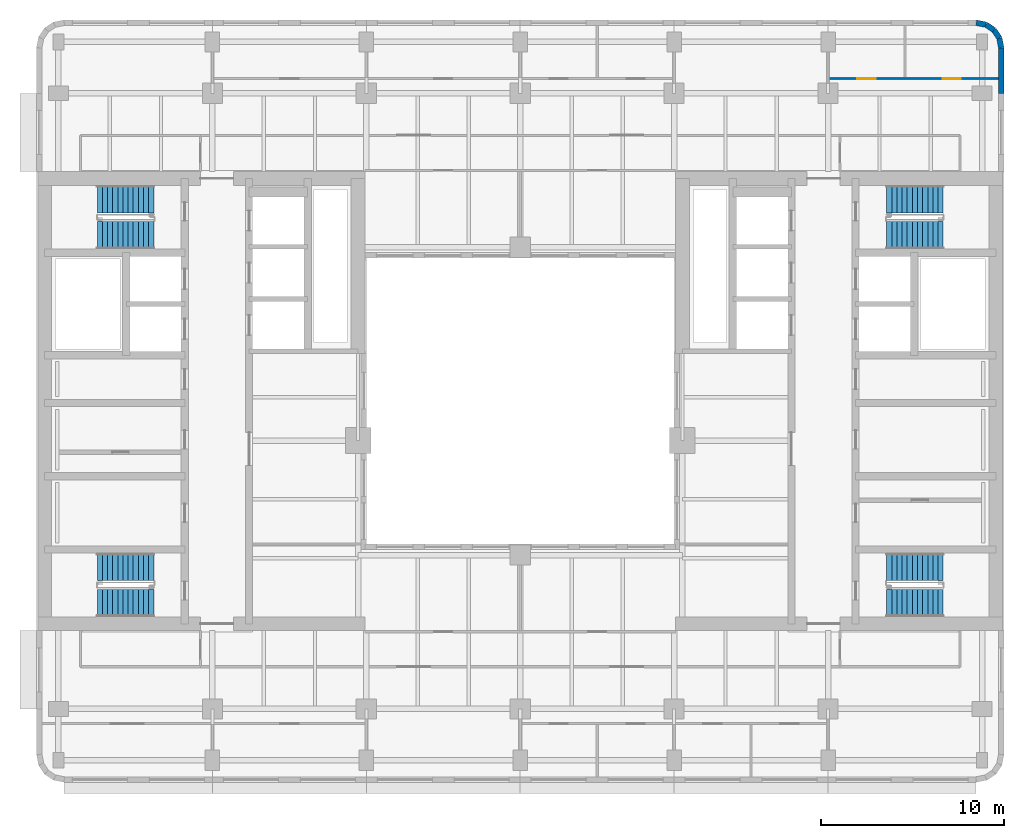
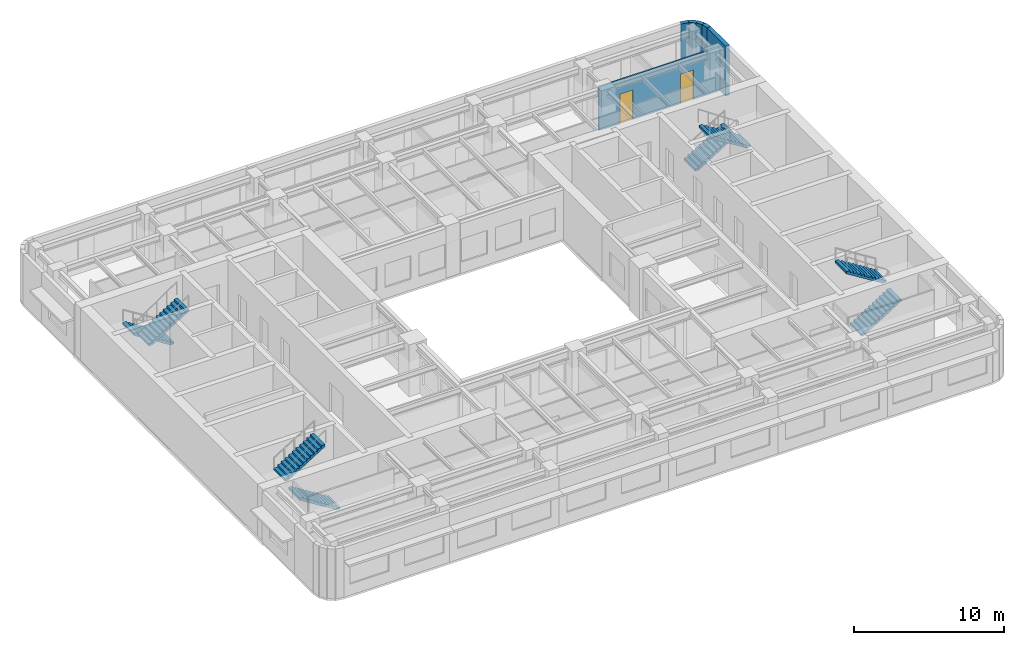
# One storey, part 8 of 11: 8 stair flights, 6 walls, 2 doors, 2 openings, 4 elements without a shape of their own.
"""IFC4 building model written with IfcOpenShell, lengths in metres."""

from ifc_helpers import new_model, si_unit, direction, frame, frame_2d, origin, place, context, subcontext, project, spatial, polyline, rectangle, outline, extrude, material, layer, layer_set, type_object, element, fill, aggregate, save


model = new_model("IFC4")

# Units and contexts
model_context = context("Model", 3, precision=1e-05, world=origin(), true_north=direction((0.0, 1.0)))
body_context = subcontext(model_context, "Body", "Model", "MODEL_VIEW")
ifc_project = project(units=[si_unit("LENGTHUNIT", "METRE"), si_unit("AREAUNIT", "SQUARE_METRE"), si_unit("VOLUMEUNIT", "CUBIC_METRE"), si_unit("PLANEANGLEUNIT", "RADIAN"), si_unit("MASSUNIT", "GRAM", prefix="KILO")], contexts=[model_context])

# Site, building, storey
site_placement = place(None, origin())
site = spatial("IfcSite", under=ifc_project, at=site_placement, CompositionType="ELEMENT")
building_placement = place(site_placement, origin())
building = spatial("IfcBuilding", under=site, at=building_placement, Name="Claustro Exchange Tower", CompositionType="ELEMENT")
storey_placement = place(building_placement, frame((0.0, 0.0, 232.199951171875)))
storey = spatial("IfcBuildingStorey", under=building, at=storey_placement, Name="L53", CompositionType="ELEMENT", Elevation=232.199951171875)

# Wall, openings, doors
ifc_material_1 = material(Name="Laminated glass in aluminium frame", Category="aluminium")
ifc_layer_1 = layer(ifc_material_1, 0.1201171875)
ifc_layer_set_1 = layer_set([ifc_layer_1], Name="Laminated glass in aluminium frame")
wall_type_1 = type_object("IfcWallType", Name="P2 120 glazed partition", PredefinedType="PARTITIONING", material=ifc_layer_set_1)
wall_1_placement = place(storey_placement, frame((42.0, 42.800048828125, 0.0), z_axis=(0.0, 0.0, 1.0), x_axis=(1.0, 0.0, 0.0)))
wall_1 = element("IfcWall", 1, at=wall_1_placement, inside=storey, type_object=wall_type_1, Name="Partition P2 L53", PredefinedType="PARTITIONING", context=body_context, shape_type="SweptSolid", body=[
    extrude(rectangle(XDim=9.302001953125, YDim=0.1201171875, at=frame_2d((4.65087890625, 0.0))), origin(), (0.0, 0.0, 1.0), 3.56005859375),
])
opening_1_placement = place(wall_1_placement, frame((1.60009765625, 0.0, 0.0)))
opening_1 = element("IfcOpeningElement", 2, at=opening_1_placement, cuts=wall_1, Name="Opening D7", PredefinedType="OPENING", context=body_context, shape_type="SweptSolid", body=[
    extrude(rectangle(XDim=1.0, YDim=2.39990234375, at=frame_2d((0.5, 1.199951171875))), frame((0.0, 0.070068359375, 0.0), z_axis=(0.0, -1.0, 0.0), x_axis=(1.0, 0.0, 0.0)), (0.0, 0.0, 1.0), 0.14013671875),
])
opening_2_placement = place(wall_1_placement, frame((6.25, 0.0, 0.0)))
opening_2 = element("IfcOpeningElement", 3, at=opening_2_placement, cuts=wall_1, Name="Opening D7", PredefinedType="OPENING", context=body_context, shape_type="SweptSolid", body=[
    extrude(rectangle(XDim=1.0, YDim=2.39990234375, at=frame_2d((0.5, 1.199951171875))), frame((0.0, 0.070068359375, 0.0), z_axis=(0.0, -1.0, 0.0), x_axis=(1.0, 0.0, 0.0)), (0.0, 0.0, 1.0), 0.14013671875),
])
ifc_material_2 = material(Name="Glass door in aluminium frame", Category="aluminium")
door_type = type_object("IfcDoorType", Name="D7 1000 x 2400 glazed door", OperationType="SINGLE_SWING_LEFT", PredefinedType="DOOR", material=ifc_material_2)
door_1_placement = place(opening_1_placement, origin())
door_1 = element("IfcDoor", 4, at=door_1_placement, inside=storey, type_object=door_type, Name="Door D7 L53", OperationType="SINGLE_SWING_LEFT", OverallHeight=2.39990234375, OverallWidth=1.0, PredefinedType="DOOR", context=body_context, shape_type="SweptSolid", body=[
    extrude(rectangle(XDim=1.0, YDim=2.39990234375, at=frame_2d((0.5, 1.199951171875))), frame((0.0, 0.02490234375, 0.0), z_axis=(0.0, -1.0, 0.0), x_axis=(1.0, 0.0, 0.0)), (0.0, 0.0, 1.0), 0.050048828125),
])
fill(opening_1, door_1)
door_2_placement = place(opening_2_placement, origin())
door_2 = element("IfcDoor", 5, at=door_2_placement, inside=storey, type_object=door_type, Name="Door D7 L53", OperationType="SINGLE_SWING_LEFT", OverallHeight=2.39990234375, OverallWidth=1.0, PredefinedType="DOOR", context=body_context, shape_type="SweptSolid", body=[
    extrude(rectangle(XDim=1.0, YDim=2.39990234375, at=frame_2d((0.5, 1.199951171875))), frame((0.0, 0.02490234375, 0.0), z_axis=(0.0, -1.0, 0.0), x_axis=(1.0, 0.0, 0.0)), (0.0, 0.0, 1.0), 0.050048828125),
])
fill(opening_2, door_2)

# Walls
ifc_material_3 = material(Name="Concrete HA-40 (C40/50), precast, white cement, acid-etched", Category="concrete")
ifc_layer_2 = layer(ifc_material_3, 0.300048828125)
ifc_layer_set_2 = layer_set([ifc_layer_2], Name="Concrete HA-40 (C40/50), precast, white cement, acid-etched")
wall_type_2 = type_object("IfcWallType", Name="PC1 300 precast concrete pier panel", PredefinedType="SOLIDWALL", material=ifc_layer_set_2)
wall_2_placement = place(storey_placement, frame((50.085205078125, 45.85009765625, 0.0), z_axis=(0.0, 0.0, 1.0), x_axis=(0.980702050465, -0.1955082817, 0.0)))
element("IfcWall", 6, at=wall_2_placement, inside=storey, type_object=wall_type_2, Name="Precast pier panel PC1 L53", PredefinedType="SOLIDWALL", context=body_context, shape_type="SweptSolid", body=[
    extrude(rectangle(XDim=0.540771484375, YDim=0.300048828125, at=frame_2d((0.2705078125, 0.0))), origin(), (0.0, 0.0, 1.0), 4.050048828125),
])
wall_3_placement = place(storey_placement, frame((50.615478515625, 45.744384765625, 0.0), z_axis=(0.0, 0.0, 1.0), x_axis=(0.831692711774, -0.555236195849, 0.0)))
element("IfcWall", 7, at=wall_3_placement, inside=storey, type_object=wall_type_2, Name="Precast pier panel PC1 L53", PredefinedType="SOLIDWALL", context=body_context, shape_type="SweptSolid", body=[
    extrude(rectangle(XDim=0.525390625, YDim=0.300048828125, at=frame_2d((0.2626953125, 0.0))), origin(), (0.0, 0.0, 1.0), 4.050048828125),
])
wall_4_placement = place(storey_placement, frame((51.052490234375, 45.45263671875, 0.0), z_axis=(0.0, 0.0, 1.0), x_axis=(0.55534295404, -0.831621430339, 0.0)))
element("IfcWall", 8, at=wall_4_placement, inside=storey, type_object=wall_type_2, Name="Precast pier panel PC1 L53", PredefinedType="SOLIDWALL", context=body_context, shape_type="SweptSolid", body=[
    extrude(rectangle(XDim=0.52587890625, YDim=0.300048828125, at=frame_2d((0.262939453125, 0.0))), origin(), (0.0, 0.0, 1.0), 4.050048828125),
])
wall_5_placement = place(storey_placement, frame((51.344482421875, 45.015380859375, 0.0), z_axis=(0.0, 0.0, 1.0), x_axis=(0.195073962632, -0.980788534345, 0.0)))
element("IfcWall", 9, at=wall_5_placement, inside=storey, type_object=wall_type_2, Name="Precast pier panel PC1 L53", PredefinedType="SOLIDWALL", context=body_context, shape_type="SweptSolid", body=[
    extrude(rectangle(XDim=0.540771484375, YDim=0.300048828125, at=frame_2d((0.2705078125, 0.0))), origin(), (0.0, 0.0, 1.0), 4.050048828125),
])
wall_6_placement = place(storey_placement, frame((51.449951171875, 44.485107421875, 0.0), z_axis=(0.0, 0.0, 1.0), x_axis=(0.0, -1.0, 0.0)))
element("IfcWall", 10, at=wall_6_placement, inside=storey, type_object=wall_type_2, Name="Precast pier panel PC1 L53", PredefinedType="SOLIDWALL", context=body_context, shape_type="SweptSolid", body=[
    extrude(rectangle(XDim=2.485107421875, YDim=0.300048828125, at=frame_2d((1.24267578125, 0.0))), origin(), (0.0, 0.0, 1.0), 4.050048828125),
])

# Stair, stair flights
ifc_material_4 = material(Name="Concrete HA-30 (C30/37), precast", Category="concrete")
stair_type = type_object("IfcStairType", Name="ST1 half-turn stair, 24 risers of 175", PredefinedType="HALF_TURN_STAIR", material=ifc_material_4)
stair_1_placement = place(storey_placement, origin())
stair_1 = element("IfcStair", 11, at=stair_1_placement, inside=storey, type_object=stair_type, Name="Stair STWA L53", PredefinedType="HALF_TURN_STAIR")
ifc_material_5 = material(Name="Concrete HA-30 (C30/37), precast", Category="concrete")
stair_flight_type = type_object("IfcStairFlightType", Name="SF12A straight flight, 12 risers of 175, 1500 wide", PredefinedType="STRAIGHT", material=ifc_material_5)
stair_flight_1_placement = place(storey_placement, frame((5.199951171875, 14.175048828125, 0.0), z_axis=(0.0, 0.0, 1.0), x_axis=(-1.0, 0.0, 0.0)))
stair_flight_1 = element("IfcStairFlight", 12, at=stair_flight_1_placement, type_object=stair_flight_type, Name="STWA flight 1", NumberOfRisers=12, NumberOfTreads=11, PredefinedType="STRAIGHT", RiserHeight=0.175, TreadLength=0.28, context=body_context, shape_type="SweptSolid", body=[
    extrude(outline(polyline([(0.0, 0.0), (0.0, 0.175048828125), (0.280029296875, 0.175048828125), (0.280029296875, 0.35009765625), (0.56005859375, 0.35009765625), (0.56005859375, 0.52490234375), (0.840087890625, 0.52490234375), (0.840087890625, 0.699951171875), (1.1201171875, 0.699951171875), (1.1201171875, 0.875), (1.39990234375, 0.875), (1.39990234375, 1.050048828125), (1.679931640625, 1.050048828125), (1.679931640625, 1.22509765625), (1.9599609375, 1.22509765625), (1.9599609375, 1.39990234375), (2.239990234375, 1.39990234375), (2.239990234375, 1.574951171875), (2.52001953125, 1.574951171875), (2.52001953125, 1.75), (2.800048828125, 1.75), (2.800048828125, 1.925048828125), (3.080078125, 1.925048828125), (3.080078125, 2.10009765625), (3.080078125, 1.748291015625), (0.28271484375, 0.0), (0.0, 0.0)])), frame((0.0, 0.75, 0.0), z_axis=(0.0, -1.0, 0.0), x_axis=(1.0, 0.0, 0.0)), (0.0, 0.0, 1.0), 1.5),
])
stair_flight_2_placement = place(storey_placement, frame((2.1201171875, 16.14990234375, 2.10009765625), z_axis=(0.0, 0.0, 1.0), x_axis=(1.0, 0.0, 0.0)))
stair_flight_2 = element("IfcStairFlight", 13, at=stair_flight_2_placement, type_object=stair_flight_type, Name="STWA flight 2", NumberOfRisers=12, NumberOfTreads=11, PredefinedType="STRAIGHT", RiserHeight=0.175, TreadLength=0.28, context=body_context, shape_type="SweptSolid", body=[
    extrude(outline(polyline([(0.0, 0.0), (0.0, 0.175048828125), (0.280029296875, 0.175048828125), (0.280029296875, 0.35009765625), (0.56005859375, 0.35009765625), (0.56005859375, 0.52490234375), (0.840087890625, 0.52490234375), (0.840087890625, 0.699951171875), (1.1201171875, 0.699951171875), (1.1201171875, 0.875), (1.39990234375, 0.875), (1.39990234375, 1.050048828125), (1.679931640625, 1.050048828125), (1.679931640625, 1.22509765625), (1.9599609375, 1.22509765625), (1.9599609375, 1.39990234375), (2.239990234375, 1.39990234375), (2.239990234375, 1.574951171875), (2.52001953125, 1.574951171875), (2.52001953125, 1.75), (2.800048828125, 1.75), (2.800048828125, 1.925048828125), (3.080078125, 1.925048828125), (3.080078125, 2.10009765625), (3.080078125, 1.748291015625), (0.28271484375, 0.0), (0.0, 0.0)])), frame((0.0, 0.75, 0.0), z_axis=(0.0, -1.0, 0.0), x_axis=(1.0, 0.0, 0.0)), (0.0, 0.0, 1.0), 1.5),
])
aggregate(stair_1, [stair_flight_1, stair_flight_2])

stair_2_placement = place(storey_placement, origin())
stair_2 = element("IfcStair", 14, at=stair_2_placement, inside=storey, type_object=stair_type, Name="Stair STWB L53", PredefinedType="HALF_TURN_STAIR")
stair_flight_3_placement = place(storey_placement, frame((5.199951171875, 36.22509765625, 0.0), z_axis=(0.0, 0.0, 1.0), x_axis=(-1.0, 0.0, 0.0)))
stair_flight_3 = element("IfcStairFlight", 15, at=stair_flight_3_placement, type_object=stair_flight_type, Name="STWB flight 1", NumberOfRisers=12, NumberOfTreads=11, PredefinedType="STRAIGHT", RiserHeight=0.175, TreadLength=0.28, context=body_context, shape_type="SweptSolid", body=[
    extrude(outline(polyline([(0.0, 0.0), (0.0, 0.175048828125), (0.280029296875, 0.175048828125), (0.280029296875, 0.35009765625), (0.56005859375, 0.35009765625), (0.56005859375, 0.52490234375), (0.840087890625, 0.52490234375), (0.840087890625, 0.699951171875), (1.1201171875, 0.699951171875), (1.1201171875, 0.875), (1.39990234375, 0.875), (1.39990234375, 1.050048828125), (1.679931640625, 1.050048828125), (1.679931640625, 1.22509765625), (1.9599609375, 1.22509765625), (1.9599609375, 1.39990234375), (2.239990234375, 1.39990234375), (2.239990234375, 1.574951171875), (2.52001953125, 1.574951171875), (2.52001953125, 1.75), (2.800048828125, 1.75), (2.800048828125, 1.925048828125), (3.080078125, 1.925048828125), (3.080078125, 2.10009765625), (3.080078125, 1.748291015625), (0.28271484375, 0.0), (0.0, 0.0)])), frame((0.0, 0.75, 0.0), z_axis=(0.0, -1.0, 0.0), x_axis=(1.0, 0.0, 0.0)), (0.0, 0.0, 1.0), 1.5),
])
stair_flight_4_placement = place(storey_placement, frame((2.1201171875, 34.25, 2.10009765625), z_axis=(0.0, 0.0, 1.0), x_axis=(1.0, 0.0, 0.0)))
stair_flight_4 = element("IfcStairFlight", 16, at=stair_flight_4_placement, type_object=stair_flight_type, Name="STWB flight 2", NumberOfRisers=12, NumberOfTreads=11, PredefinedType="STRAIGHT", RiserHeight=0.175, TreadLength=0.28, context=body_context, shape_type="SweptSolid", body=[
    extrude(outline(polyline([(0.0, 0.0), (0.0, 0.175048828125), (0.280029296875, 0.175048828125), (0.280029296875, 0.35009765625), (0.56005859375, 0.35009765625), (0.56005859375, 0.52490234375), (0.840087890625, 0.52490234375), (0.840087890625, 0.699951171875), (1.1201171875, 0.699951171875), (1.1201171875, 0.875), (1.39990234375, 0.875), (1.39990234375, 1.050048828125), (1.679931640625, 1.050048828125), (1.679931640625, 1.22509765625), (1.9599609375, 1.22509765625), (1.9599609375, 1.39990234375), (2.239990234375, 1.39990234375), (2.239990234375, 1.574951171875), (2.52001953125, 1.574951171875), (2.52001953125, 1.75), (2.800048828125, 1.75), (2.800048828125, 1.925048828125), (3.080078125, 1.925048828125), (3.080078125, 2.10009765625), (3.080078125, 1.748291015625), (0.28271484375, 0.0), (0.0, 0.0)])), frame((0.0, 0.75, 0.0), z_axis=(0.0, -1.0, 0.0), x_axis=(1.0, 0.0, 0.0)), (0.0, 0.0, 1.0), 1.5),
])
aggregate(stair_2, [stair_flight_3, stair_flight_4])

stair_3_placement = place(storey_placement, origin())
stair_3 = element("IfcStair", 17, at=stair_3_placement, inside=storey, type_object=stair_type, Name="Stair STEA L53", PredefinedType="HALF_TURN_STAIR")
stair_flight_5_placement = place(storey_placement, frame((45.199951171875, 14.175048828125, 0.0), z_axis=(0.0, 0.0, 1.0), x_axis=(1.0, 0.0, 0.0)))
stair_flight_5 = element("IfcStairFlight", 18, at=stair_flight_5_placement, type_object=stair_flight_type, Name="STEA flight 1", NumberOfRisers=12, NumberOfTreads=11, PredefinedType="STRAIGHT", RiserHeight=0.175, TreadLength=0.28, context=body_context, shape_type="SweptSolid", body=[
    extrude(outline(polyline([(0.0, 0.0), (0.0, 0.175048828125), (0.280029296875, 0.175048828125), (0.280029296875, 0.35009765625), (0.56005859375, 0.35009765625), (0.56005859375, 0.52490234375), (0.840087890625, 0.52490234375), (0.840087890625, 0.699951171875), (1.1201171875, 0.699951171875), (1.1201171875, 0.875), (1.39990234375, 0.875), (1.39990234375, 1.050048828125), (1.679931640625, 1.050048828125), (1.679931640625, 1.22509765625), (1.9599609375, 1.22509765625), (1.9599609375, 1.39990234375), (2.239990234375, 1.39990234375), (2.239990234375, 1.574951171875), (2.52001953125, 1.574951171875), (2.52001953125, 1.75), (2.800048828125, 1.75), (2.800048828125, 1.925048828125), (3.080078125, 1.925048828125), (3.080078125, 2.10009765625), (3.080078125, 1.748291015625), (0.28271484375, 0.0), (0.0, 0.0)])), frame((0.0, 0.75, 0.0), z_axis=(0.0, -1.0, 0.0), x_axis=(1.0, 0.0, 0.0)), (0.0, 0.0, 1.0), 1.5),
])
stair_flight_6_placement = place(storey_placement, frame((48.280029296875, 16.14990234375, 2.10009765625), z_axis=(0.0, 0.0, 1.0), x_axis=(-1.0, 0.0, 0.0)))
stair_flight_6 = element("IfcStairFlight", 19, at=stair_flight_6_placement, type_object=stair_flight_type, Name="STEA flight 2", NumberOfRisers=12, NumberOfTreads=11, PredefinedType="STRAIGHT", RiserHeight=0.175, TreadLength=0.28, context=body_context, shape_type="SweptSolid", body=[
    extrude(outline(polyline([(0.0, 0.0), (0.0, 0.175048828125), (0.280029296875, 0.175048828125), (0.280029296875, 0.35009765625), (0.56005859375, 0.35009765625), (0.56005859375, 0.52490234375), (0.840087890625, 0.52490234375), (0.840087890625, 0.699951171875), (1.1201171875, 0.699951171875), (1.1201171875, 0.875), (1.39990234375, 0.875), (1.39990234375, 1.050048828125), (1.679931640625, 1.050048828125), (1.679931640625, 1.22509765625), (1.9599609375, 1.22509765625), (1.9599609375, 1.39990234375), (2.239990234375, 1.39990234375), (2.239990234375, 1.574951171875), (2.52001953125, 1.574951171875), (2.52001953125, 1.75), (2.800048828125, 1.75), (2.800048828125, 1.925048828125), (3.080078125, 1.925048828125), (3.080078125, 2.10009765625), (3.080078125, 1.748291015625), (0.28271484375, 0.0), (0.0, 0.0)])), frame((0.0, 0.75, 0.0), z_axis=(0.0, -1.0, 0.0), x_axis=(1.0, 0.0, 0.0)), (0.0, 0.0, 1.0), 1.5),
])
aggregate(stair_3, [stair_flight_5, stair_flight_6])

stair_4_placement = place(storey_placement, origin())
stair_4 = element("IfcStair", 20, at=stair_4_placement, inside=storey, type_object=stair_type, Name="Stair STEB L53", PredefinedType="HALF_TURN_STAIR")
stair_flight_7_placement = place(storey_placement, frame((45.199951171875, 36.22509765625, 0.0), z_axis=(0.0, 0.0, 1.0), x_axis=(1.0, 0.0, 0.0)))
stair_flight_7 = element("IfcStairFlight", 21, at=stair_flight_7_placement, type_object=stair_flight_type, Name="STEB flight 1", NumberOfRisers=12, NumberOfTreads=11, PredefinedType="STRAIGHT", RiserHeight=0.175, TreadLength=0.28, context=body_context, shape_type="SweptSolid", body=[
    extrude(outline(polyline([(0.0, 0.0), (0.0, 0.175048828125), (0.280029296875, 0.175048828125), (0.280029296875, 0.35009765625), (0.56005859375, 0.35009765625), (0.56005859375, 0.52490234375), (0.840087890625, 0.52490234375), (0.840087890625, 0.699951171875), (1.1201171875, 0.699951171875), (1.1201171875, 0.875), (1.39990234375, 0.875), (1.39990234375, 1.050048828125), (1.679931640625, 1.050048828125), (1.679931640625, 1.22509765625), (1.9599609375, 1.22509765625), (1.9599609375, 1.39990234375), (2.239990234375, 1.39990234375), (2.239990234375, 1.574951171875), (2.52001953125, 1.574951171875), (2.52001953125, 1.75), (2.800048828125, 1.75), (2.800048828125, 1.925048828125), (3.080078125, 1.925048828125), (3.080078125, 2.10009765625), (3.080078125, 1.748291015625), (0.28271484375, 0.0), (0.0, 0.0)])), frame((0.0, 0.75, 0.0), z_axis=(0.0, -1.0, 0.0), x_axis=(1.0, 0.0, 0.0)), (0.0, 0.0, 1.0), 1.5),
])
stair_flight_8_placement = place(storey_placement, frame((48.280029296875, 34.25, 2.10009765625), z_axis=(0.0, 0.0, 1.0), x_axis=(-1.0, 0.0, 0.0)))
stair_flight_8 = element("IfcStairFlight", 22, at=stair_flight_8_placement, type_object=stair_flight_type, Name="STEB flight 2", NumberOfRisers=12, NumberOfTreads=11, PredefinedType="STRAIGHT", RiserHeight=0.175, TreadLength=0.28, context=body_context, shape_type="SweptSolid", body=[
    extrude(outline(polyline([(0.0, 0.0), (0.0, 0.175048828125), (0.280029296875, 0.175048828125), (0.280029296875, 0.35009765625), (0.56005859375, 0.35009765625), (0.56005859375, 0.52490234375), (0.840087890625, 0.52490234375), (0.840087890625, 0.699951171875), (1.1201171875, 0.699951171875), (1.1201171875, 0.875), (1.39990234375, 0.875), (1.39990234375, 1.050048828125), (1.679931640625, 1.050048828125), (1.679931640625, 1.22509765625), (1.9599609375, 1.22509765625), (1.9599609375, 1.39990234375), (2.239990234375, 1.39990234375), (2.239990234375, 1.574951171875), (2.52001953125, 1.574951171875), (2.52001953125, 1.75), (2.800048828125, 1.75), (2.800048828125, 1.925048828125), (3.080078125, 1.925048828125), (3.080078125, 2.10009765625), (3.080078125, 1.748291015625), (0.28271484375, 0.0), (0.0, 0.0)])), frame((0.0, 0.75, 0.0), z_axis=(0.0, -1.0, 0.0), x_axis=(1.0, 0.0, 0.0)), (0.0, 0.0, 1.0), 1.5),
])
aggregate(stair_4, [stair_flight_7, stair_flight_8])

save(model, "model.ifc")
